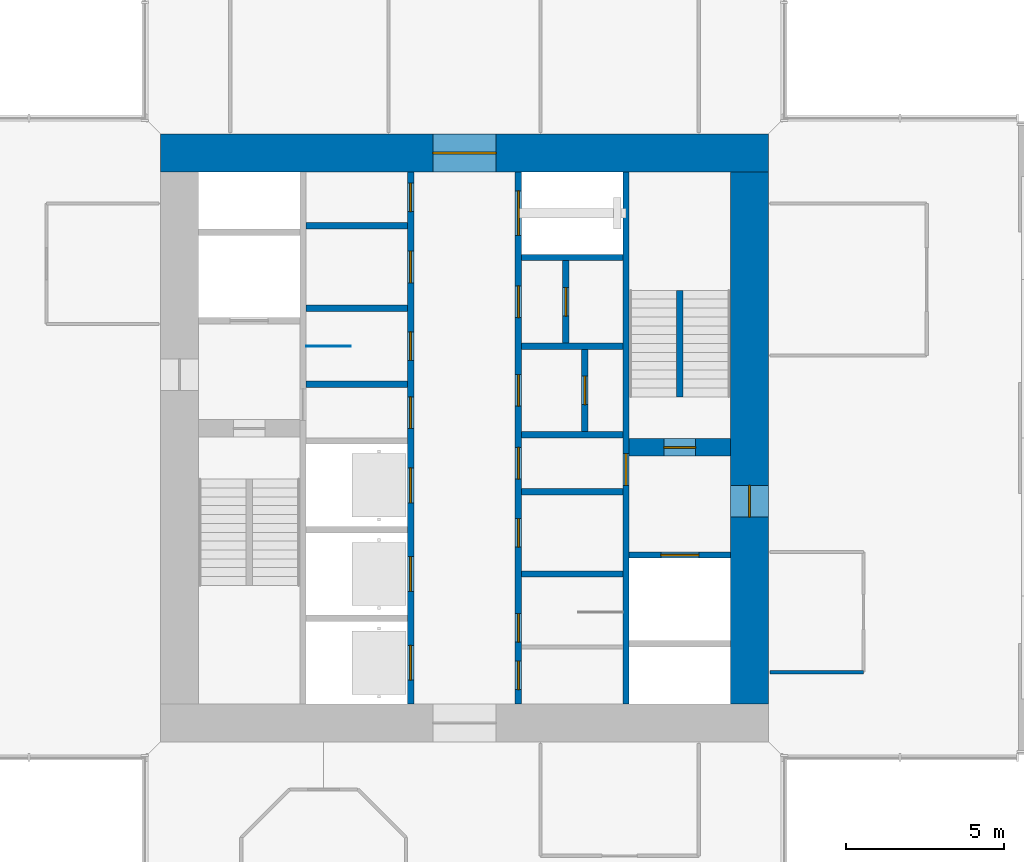
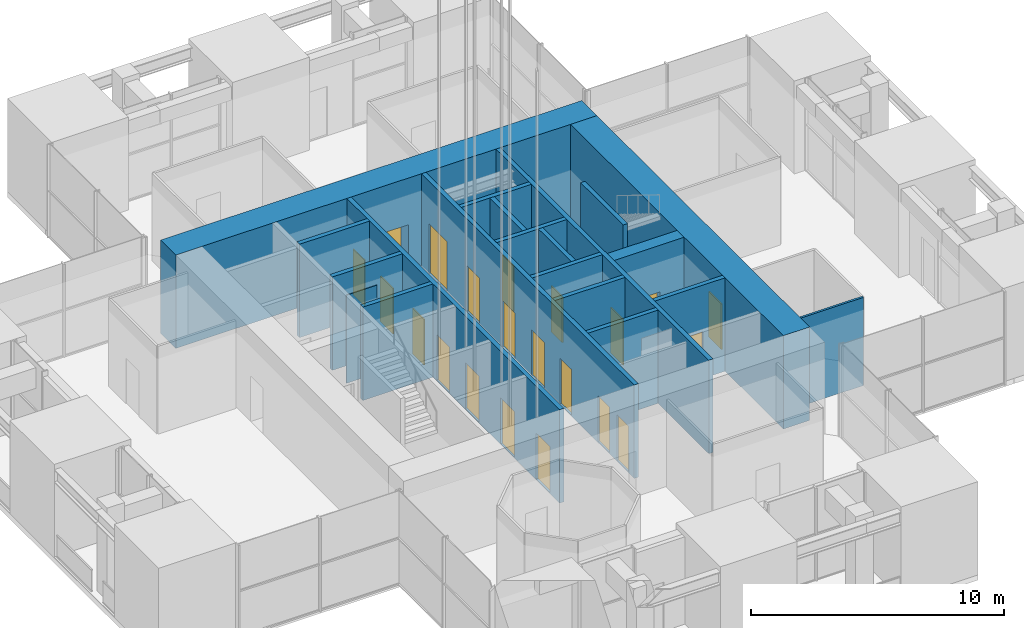
# One storey, part 6 of 17: 21 doors, 20 walls, 21 openings.
"""IFC4 building model written with IfcOpenShell, lengths in metres."""

from ifc_helpers import new_model, si_unit, direction, frame, frame_2d, origin, place, context, subcontext, project, spatial, rectangle, extrude, material, layer, layer_set, type_object, element, fill, save


model = new_model("IFC4")

# Units and contexts
model_context = context("Model", 3, precision=1e-05, world=origin(), true_north=direction((0.0, 1.0)))
body_context = subcontext(model_context, "Body", "Model", "MODEL_VIEW")
ifc_project = project(units=[si_unit("LENGTHUNIT", "METRE"), si_unit("AREAUNIT", "SQUARE_METRE"), si_unit("VOLUMEUNIT", "CUBIC_METRE"), si_unit("PLANEANGLEUNIT", "RADIAN"), si_unit("MASSUNIT", "GRAM", prefix="KILO")], contexts=[model_context])

# Site, building, storey
site_placement = place(None, origin())
site = spatial("IfcSite", under=ifc_project, at=site_placement, CompositionType="ELEMENT")
building_placement = place(site_placement, origin())
building = spatial("IfcBuilding", under=site, at=building_placement, Name="Svetlomir Tower", CompositionType="ELEMENT")
storey_placement = place(building_placement, frame((0.0, 0.0, 239.5)))
storey = spatial("IfcBuildingStorey", under=building, at=storey_placement, Name="L57", CompositionType="ELEMENT", Elevation=239.5)

# Wall, openings, doors
ifc_material_1 = material(Name="Concrete C60/75", Category="concrete")
ifc_layer_1 = layer(ifc_material_1, 0.199951171875)
ifc_layer_set_1 = layer_set([ifc_layer_1], Name="Concrete C60/75")
wall_type_1 = type_object("IfcWallType", Name="CORE INNER WALL 200", PredefinedType="SHEAR", material=ifc_layer_set_1)
wall_1_placement = place(storey_placement, frame((19.300048828125, 12.60009765625, -0.050048828125), z_axis=(0.0, 0.0, 1.0), x_axis=(0.0, 1.0, 0.0)))
wall_1 = element("IfcWall", 1, at=wall_1_placement, inside=storey, type_object=wall_type_1, Name="Core inner wall 19.3 L57", PredefinedType="SHEAR", context=body_context, shape_type="SweptSolid", body=[
    extrude(rectangle(XDim=16.7998046875, YDim=0.199951171875, at=frame_2d((8.39990234375, 0.0))), origin(), (0.0, 0.0, 1.0), 4.5),
])
opening_1_placement = place(wall_1_placement, frame((8.699951171875, 0.0, 0.050048828125)))
opening_1 = element("IfcOpeningElement", 2, at=opening_1_placement, cuts=wall_1, Name="Opening DC", PredefinedType="OPENING", context=body_context, shape_type="SweptSolid", body=[
    extrude(rectangle(XDim=1.0, YDim=2.199951171875, at=frame_2d((0.5, 1.10009765625))), frame((0.0, 0.10986328125, 0.0), z_axis=(0.0, -1.0, 0.0), x_axis=(1.0, 0.0, 0.0)), (0.0, 0.0, 1.0), 0.219970703125),
])
opening_2_placement = place(wall_1_placement, frame((10.85009765625, 0.0, 0.050048828125)))
opening_2 = element("IfcOpeningElement", 3, at=opening_2_placement, cuts=wall_1, Name="Opening DW", PredefinedType="OPENING", context=body_context, shape_type="SweptSolid", body=[
    extrude(rectangle(XDim=0.89990234375, YDim=2.199951171875, at=frame_2d((0.449951171875, 1.10009765625))), frame((0.0, 0.10986328125, 0.0), z_axis=(0.0, -1.0, 0.0), x_axis=(1.0, 0.0, 0.0)), (0.0, 0.0, 1.0), 0.219970703125),
])
opening_3_placement = place(wall_1_placement, frame((13.300048828125, 0.0, 0.050048828125)))
opening_3 = element("IfcOpeningElement", 4, at=opening_3_placement, cuts=wall_1, Name="Opening DC", PredefinedType="OPENING", context=body_context, shape_type="SweptSolid", body=[
    extrude(rectangle(XDim=1.0, YDim=2.199951171875, at=frame_2d((0.5, 1.10009765625))), frame((0.0, 0.10986328125, 0.0), z_axis=(0.0, -1.0, 0.0), x_axis=(1.0, 0.0, 0.0)), (0.0, 0.0, 1.0), 0.219970703125),
])
opening_4_placement = place(wall_1_placement, frame((15.550048828125, 0.0, 0.050048828125)))
opening_4 = element("IfcOpeningElement", 5, at=opening_4_placement, cuts=wall_1, Name="Opening DW", PredefinedType="OPENING", context=body_context, shape_type="SweptSolid", body=[
    extrude(rectangle(XDim=0.89990234375, YDim=2.199951171875, at=frame_2d((0.449951171875, 1.10009765625))), frame((0.0, 0.10986328125, 0.0), z_axis=(0.0, -1.0, 0.0), x_axis=(1.0, 0.0, 0.0)), (0.0, 0.0, 1.0), 0.219970703125),
])
opening_5_placement = place(wall_1_placement, frame((0.75, 0.0, 0.050048828125)))
opening_5 = element("IfcOpeningElement", 6, at=opening_5_placement, cuts=wall_1, Name="Opening LD", PredefinedType="OPENING", context=body_context, shape_type="SweptSolid", body=[
    extrude(rectangle(XDim=1.10009765625, YDim=2.199951171875, at=frame_2d((0.550048828125, 1.10009765625))), frame((0.0, 0.10986328125, 0.0), z_axis=(0.0, -1.0, 0.0), x_axis=(1.0, 0.0, 0.0)), (0.0, 0.0, 1.0), 0.219970703125),
])
opening_6_placement = place(wall_1_placement, frame((3.550048828125, 0.0, 0.050048828125)))
opening_6 = element("IfcOpeningElement", 7, at=opening_6_placement, cuts=wall_1, Name="Opening LD", PredefinedType="OPENING", context=body_context, shape_type="SweptSolid", body=[
    extrude(rectangle(XDim=1.10009765625, YDim=2.199951171875, at=frame_2d((0.550048828125, 1.10009765625))), frame((0.0, 0.10986328125, 0.0), z_axis=(0.0, -1.0, 0.0), x_axis=(1.0, 0.0, 0.0)), (0.0, 0.0, 1.0), 0.219970703125),
])
opening_7_placement = place(wall_1_placement, frame((6.35009765625, 0.0, 0.050048828125)))
opening_7 = element("IfcOpeningElement", 8, at=opening_7_placement, cuts=wall_1, Name="Opening LD", PredefinedType="OPENING", context=body_context, shape_type="SweptSolid", body=[
    extrude(rectangle(XDim=1.10009765625, YDim=2.199951171875, at=frame_2d((0.550048828125, 1.10009765625))), frame((0.0, 0.10986328125, 0.0), z_axis=(0.0, -1.0, 0.0), x_axis=(1.0, 0.0, 0.0)), (0.0, 0.0, 1.0), 0.219970703125),
])
ifc_material_2 = material(Name="Timber fire door", Category="wood")
door_type_1 = type_object("IfcDoorType", Name="DOOR DC 1000x2200", OperationType="SINGLE_SWING_LEFT", PredefinedType="DOOR", material=ifc_material_2)
door_1_placement = place(opening_1_placement, origin())
door_1 = element("IfcDoor", 9, at=door_1_placement, inside=storey, type_object=door_type_1, Name="Core corridor west lobby door L57", OperationType="SINGLE_SWING_RIGHT", OverallHeight=2.199951171875, OverallWidth=1.0, PredefinedType="DOOR", context=body_context, shape_type="SweptSolid", body=[
    extrude(rectangle(XDim=1.0, YDim=2.199951171875, at=frame_2d((0.5, 1.10009765625))), frame((0.0, 0.02490234375, 0.0), z_axis=(0.0, -1.0, 0.0), x_axis=(1.0, 0.0, 0.0)), (0.0, 0.0, 1.0), 0.050048828125),
])
fill(opening_1, door_1)
door_2_placement = place(opening_3_placement, origin())
door_2 = element("IfcDoor", 10, at=door_2_placement, inside=storey, type_object=door_type_1, Name="Accessible WC door L57", OperationType="SINGLE_SWING_LEFT", OverallHeight=2.199951171875, OverallWidth=1.0, PredefinedType="DOOR", context=body_context, shape_type="SweptSolid", body=[
    extrude(rectangle(XDim=1.0, YDim=2.199951171875, at=frame_2d((0.5, 1.10009765625))), frame((0.0, 0.02490234375, 0.0), z_axis=(0.0, -1.0, 0.0), x_axis=(1.0, 0.0, 0.0)), (0.0, 0.0, 1.0), 0.050048828125),
])
fill(opening_3, door_2)
ifc_material_3 = material(Name="Timber fire door", Category="wood")
door_type_2 = type_object("IfcDoorType", Name="DOOR DW 900x2200", OperationType="SINGLE_SWING_LEFT", PredefinedType="DOOR", material=ifc_material_3)
door_3_placement = place(opening_2_placement, origin())
door_3 = element("IfcDoor", 11, at=door_3_placement, inside=storey, type_object=door_type_2, Name="Female WC door L57", OperationType="SINGLE_SWING_RIGHT", OverallHeight=2.199951171875, OverallWidth=0.89990234375, PredefinedType="DOOR", context=body_context, shape_type="SweptSolid", body=[
    extrude(rectangle(XDim=0.89990234375, YDim=2.199951171875, at=frame_2d((0.449951171875, 1.10009765625))), frame((0.0, 0.02490234375, 0.0), z_axis=(0.0, -1.0, 0.0), x_axis=(1.0, 0.0, 0.0)), (0.0, 0.0, 1.0), 0.050048828125),
])
fill(opening_2, door_3)
door_4_placement = place(opening_4_placement, origin())
door_4 = element("IfcDoor", 12, at=door_4_placement, inside=storey, type_object=door_type_2, Name="Tea point door L57", OperationType="SINGLE_SWING_RIGHT", OverallHeight=2.199951171875, OverallWidth=0.89990234375, PredefinedType="DOOR", context=body_context, shape_type="SweptSolid", body=[
    extrude(rectangle(XDim=0.89990234375, YDim=2.199951171875, at=frame_2d((0.449951171875, 1.10009765625))), frame((0.0, 0.02490234375, 0.0), z_axis=(0.0, -1.0, 0.0), x_axis=(1.0, 0.0, 0.0)), (0.0, 0.0, 1.0), 0.050048828125),
])
fill(opening_4, door_4)
ifc_material_4 = material(Name="Stainless steel landing door", Category="steel")
door_type_3 = type_object("IfcDoorType", Name="LIFT LANDING DOOR LD 1100x2200", OperationType="DOUBLE_DOOR_SLIDING", PredefinedType="DOOR", material=ifc_material_4)
door_5_placement = place(opening_5_placement, origin())
door_5 = element("IfcDoor", 13, at=door_5_placement, inside=storey, type_object=door_type_3, Name="Landing door lift LD1 L57", OperationType="DOUBLE_DOOR_SLIDING", OverallHeight=2.199951171875, OverallWidth=1.10009765625, PredefinedType="DOOR", context=body_context, shape_type="SweptSolid", body=[
    extrude(rectangle(XDim=1.10009765625, YDim=2.199951171875, at=frame_2d((0.550048828125, 1.10009765625))), frame((0.0, 0.02490234375, 0.0), z_axis=(0.0, -1.0, 0.0), x_axis=(1.0, 0.0, 0.0)), (0.0, 0.0, 1.0), 0.050048828125),
])
fill(opening_5, door_5)
door_6_placement = place(opening_6_placement, origin())
door_6 = element("IfcDoor", 14, at=door_6_placement, inside=storey, type_object=door_type_3, Name="Landing door lift LD2 L57", OperationType="DOUBLE_DOOR_SLIDING", OverallHeight=2.199951171875, OverallWidth=1.10009765625, PredefinedType="DOOR", context=body_context, shape_type="SweptSolid", body=[
    extrude(rectangle(XDim=1.10009765625, YDim=2.199951171875, at=frame_2d((0.550048828125, 1.10009765625))), frame((0.0, 0.02490234375, 0.0), z_axis=(0.0, -1.0, 0.0), x_axis=(1.0, 0.0, 0.0)), (0.0, 0.0, 1.0), 0.050048828125),
])
fill(opening_6, door_6)
door_7_placement = place(opening_7_placement, origin())
door_7 = element("IfcDoor", 15, at=door_7_placement, inside=storey, type_object=door_type_3, Name="Landing door lift LD3 L57", OperationType="DOUBLE_DOOR_SLIDING", OverallHeight=2.199951171875, OverallWidth=1.10009765625, PredefinedType="DOOR", context=body_context, shape_type="SweptSolid", body=[
    extrude(rectangle(XDim=1.10009765625, YDim=2.199951171875, at=frame_2d((0.550048828125, 1.10009765625))), frame((0.0, 0.02490234375, 0.0), z_axis=(0.0, -1.0, 0.0), x_axis=(1.0, 0.0, 0.0)), (0.0, 0.0, 1.0), 0.050048828125),
])
fill(opening_7, door_7)

wall_2_placement = place(storey_placement, frame((22.699951171875, 12.60009765625, -0.050048828125), z_axis=(0.0, 0.0, 1.0), x_axis=(0.0, 1.0, 0.0)))
wall_2 = element("IfcWall", 16, at=wall_2_placement, inside=storey, type_object=wall_type_1, Name="Core inner wall 22.7 L57", PredefinedType="SHEAR", context=body_context, shape_type="SweptSolid", body=[
    extrude(rectangle(XDim=16.7998046875, YDim=0.199951171875, at=frame_2d((8.39990234375, 0.0))), origin(), (0.0, 0.0, 1.0), 4.5),
])
opening_8_placement = place(wall_2_placement, frame((0.449951171875, 0.0, 0.050048828125)))
opening_8 = element("IfcOpeningElement", 17, at=opening_8_placement, cuts=wall_2, Name="Opening DW", PredefinedType="OPENING", context=body_context, shape_type="SweptSolid", body=[
    extrude(rectangle(XDim=0.89990234375, YDim=2.199951171875, at=frame_2d((0.449951171875, 1.10009765625))), frame((0.0, 0.10986328125, 0.0), z_axis=(0.0, -1.0, 0.0), x_axis=(1.0, 0.0, 0.0)), (0.0, 0.0, 1.0), 0.219970703125),
])
opening_9_placement = place(wall_2_placement, frame((7.10009765625, 0.0, 0.050048828125)))
opening_9 = element("IfcOpeningElement", 18, at=opening_9_placement, cuts=wall_2, Name="Opening DC", PredefinedType="OPENING", context=body_context, shape_type="SweptSolid", body=[
    extrude(rectangle(XDim=1.0, YDim=2.199951171875, at=frame_2d((0.5, 1.10009765625))), frame((0.0, 0.10986328125, 0.0), z_axis=(0.0, -1.0, 0.0), x_axis=(1.0, 0.0, 0.0)), (0.0, 0.0, 1.0), 0.219970703125),
])
opening_10_placement = place(wall_2_placement, frame((1.949951171875, 0.0, 0.050048828125)))
opening_10 = element("IfcOpeningElement", 19, at=opening_10_placement, cuts=wall_2, Name="Opening DW", PredefinedType="OPENING", context=body_context, shape_type="SweptSolid", body=[
    extrude(rectangle(XDim=0.89990234375, YDim=2.199951171875, at=frame_2d((0.449951171875, 1.10009765625))), frame((0.0, 0.10986328125, 0.0), z_axis=(0.0, -1.0, 0.0), x_axis=(1.0, 0.0, 0.0)), (0.0, 0.0, 1.0), 0.219970703125),
])
opening_11_placement = place(wall_2_placement, frame((4.949951171875, 0.0, 0.050048828125)))
opening_11 = element("IfcOpeningElement", 20, at=opening_11_placement, cuts=wall_2, Name="Opening DW", PredefinedType="OPENING", context=body_context, shape_type="SweptSolid", body=[
    extrude(rectangle(XDim=0.89990234375, YDim=2.199951171875, at=frame_2d((0.449951171875, 1.10009765625))), frame((0.0, 0.10986328125, 0.0), z_axis=(0.0, -1.0, 0.0), x_axis=(1.0, 0.0, 0.0)), (0.0, 0.0, 1.0), 0.219970703125),
])
opening_12_placement = place(wall_2_placement, frame((9.39990234375, 0.0, 0.050048828125)))
opening_12 = element("IfcOpeningElement", 21, at=opening_12_placement, cuts=wall_2, Name="Opening DC", PredefinedType="OPENING", context=body_context, shape_type="SweptSolid", body=[
    extrude(rectangle(XDim=1.0, YDim=2.199951171875, at=frame_2d((0.5, 1.10009765625))), frame((0.0, 0.10986328125, 0.0), z_axis=(0.0, -1.0, 0.0), x_axis=(1.0, 0.0, 0.0)), (0.0, 0.0, 1.0), 0.219970703125),
])
opening_13_placement = place(wall_2_placement, frame((12.199951171875, 0.0, 0.050048828125)))
opening_13 = element("IfcOpeningElement", 22, at=opening_13_placement, cuts=wall_2, Name="Opening DC", PredefinedType="OPENING", context=body_context, shape_type="SweptSolid", body=[
    extrude(rectangle(XDim=1.0, YDim=2.199951171875, at=frame_2d((0.5, 1.10009765625))), frame((0.0, 0.10986328125, 0.0), z_axis=(0.0, -1.0, 0.0), x_axis=(1.0, 0.0, 0.0)), (0.0, 0.0, 1.0), 0.219970703125),
])
opening_14_placement = place(wall_2_placement, frame((14.800048828125, 0.0, 0.050048828125)))
opening_14 = element("IfcOpeningElement", 23, at=opening_14_placement, cuts=wall_2, Name="Opening LD2", PredefinedType="OPENING", context=body_context, shape_type="SweptSolid", body=[
    extrude(rectangle(XDim=1.39990234375, YDim=2.39990234375, at=frame_2d((0.699951171875, 1.199951171875))), frame((0.0, 0.10986328125, 0.0), z_axis=(0.0, -1.0, 0.0), x_axis=(1.0, 0.0, 0.0)), (0.0, 0.0, 1.0), 0.219970703125),
])
door_8_placement = place(opening_9_placement, origin())
door_8 = element("IfcDoor", 24, at=door_8_placement, inside=storey, type_object=door_type_1, Name="Core corridor east lobby door L57", OperationType="SINGLE_SWING_LEFT", OverallHeight=2.199951171875, OverallWidth=1.0, PredefinedType="DOOR", context=body_context, shape_type="SweptSolid", body=[
    extrude(rectangle(XDim=1.0, YDim=2.199951171875, at=frame_2d((0.5, 1.10009765625))), frame((0.0, 0.02490234375, 0.0), z_axis=(0.0, -1.0, 0.0), x_axis=(1.0, 0.0, 0.0)), (0.0, 0.0, 1.0), 0.050048828125),
])
fill(opening_9, door_8)
door_9_placement = place(opening_12_placement, origin())
door_9 = element("IfcDoor", 25, at=door_9_placement, inside=storey, type_object=door_type_1, Name="Converted shaft BANK-E1 room door L57", OperationType="SINGLE_SWING_LEFT", OverallHeight=2.199951171875, OverallWidth=1.0, PredefinedType="DOOR", context=body_context, shape_type="SweptSolid", body=[
    extrude(rectangle(XDim=1.0, YDim=2.199951171875, at=frame_2d((0.5, 1.10009765625))), frame((0.0, 0.02490234375, 0.0), z_axis=(0.0, -1.0, 0.0), x_axis=(1.0, 0.0, 0.0)), (0.0, 0.0, 1.0), 0.050048828125),
])
fill(opening_12, door_9)
door_10_placement = place(opening_13_placement, origin())
door_10 = element("IfcDoor", 26, at=door_10_placement, inside=storey, type_object=door_type_1, Name="Converted shaft BANK-E2 room door L57", OperationType="SINGLE_SWING_LEFT", OverallHeight=2.199951171875, OverallWidth=1.0, PredefinedType="DOOR", context=body_context, shape_type="SweptSolid", body=[
    extrude(rectangle(XDim=1.0, YDim=2.199951171875, at=frame_2d((0.5, 1.10009765625))), frame((0.0, 0.02490234375, 0.0), z_axis=(0.0, -1.0, 0.0), x_axis=(1.0, 0.0, 0.0)), (0.0, 0.0, 1.0), 0.050048828125),
])
fill(opening_13, door_10)
door_11_placement = place(opening_8_placement, origin())
door_11 = element("IfcDoor", 27, at=door_11_placement, inside=storey, type_object=door_type_2, Name="Floor store door L57", OperationType="SINGLE_SWING_LEFT", OverallHeight=2.199951171875, OverallWidth=0.89990234375, PredefinedType="DOOR", context=body_context, shape_type="SweptSolid", body=[
    extrude(rectangle(XDim=0.89990234375, YDim=2.199951171875, at=frame_2d((0.449951171875, 1.10009765625))), frame((0.0, 0.02490234375, 0.0), z_axis=(0.0, -1.0, 0.0), x_axis=(1.0, 0.0, 0.0)), (0.0, 0.0, 1.0), 0.050048828125),
])
fill(opening_8, door_11)
door_12_placement = place(opening_10_placement, origin())
door_12 = element("IfcDoor", 28, at=door_12_placement, inside=storey, type_object=door_type_2, Name="Male WC door L57", OperationType="SINGLE_SWING_LEFT", OverallHeight=2.199951171875, OverallWidth=0.89990234375, PredefinedType="DOOR", context=body_context, shape_type="SweptSolid", body=[
    extrude(rectangle(XDim=0.89990234375, YDim=2.199951171875, at=frame_2d((0.449951171875, 1.10009765625))), frame((0.0, 0.02490234375, 0.0), z_axis=(0.0, -1.0, 0.0), x_axis=(1.0, 0.0, 0.0)), (0.0, 0.0, 1.0), 0.050048828125),
])
fill(opening_10, door_12)
door_13_placement = place(opening_11_placement, origin())
door_13 = element("IfcDoor", 29, at=door_13_placement, inside=storey, type_object=door_type_2, Name="Comms room door L57", OperationType="SINGLE_SWING_RIGHT", OverallHeight=2.199951171875, OverallWidth=0.89990234375, PredefinedType="DOOR", context=body_context, shape_type="SweptSolid", body=[
    extrude(rectangle(XDim=0.89990234375, YDim=2.199951171875, at=frame_2d((0.449951171875, 1.10009765625))), frame((0.0, 0.02490234375, 0.0), z_axis=(0.0, -1.0, 0.0), x_axis=(1.0, 0.0, 0.0)), (0.0, 0.0, 1.0), 0.050048828125),
])
fill(opening_11, door_13)
ifc_material_5 = material(Name="Stainless steel landing door", Category="steel")
door_type_4 = type_object("IfcDoorType", Name="LIFT LANDING DOOR LD2 1400x2400", OperationType="DOUBLE_DOOR_SLIDING", PredefinedType="DOOR", material=ifc_material_5)
door_14_placement = place(opening_14_placement, origin())
door_14 = element("IfcDoor", 30, at=door_14_placement, inside=storey, type_object=door_type_4, Name="Landing door lift SH3 L57", OperationType="DOUBLE_DOOR_SLIDING", OverallHeight=2.39990234375, OverallWidth=1.39990234375, PredefinedType="DOOR", context=body_context, shape_type="SweptSolid", body=[
    extrude(rectangle(XDim=1.39990234375, YDim=2.39990234375, at=frame_2d((0.699951171875, 1.199951171875))), frame((0.0, 0.02490234375, 0.0), z_axis=(0.0, -1.0, 0.0), x_axis=(1.0, 0.0, 0.0)), (0.0, 0.0, 1.0), 0.050048828125),
])
fill(opening_14, door_14)

# Wall, opening, door
wall_3_placement = place(storey_placement, frame((26.10009765625, 12.60009765625, -0.050048828125), z_axis=(0.0, 0.0, 1.0), x_axis=(0.0, 1.0, 0.0)))
wall_3 = element("IfcWall", 31, at=wall_3_placement, inside=storey, type_object=wall_type_1, Name="Core inner wall 26.1 L57", PredefinedType="SHEAR", context=body_context, shape_type="SweptSolid", body=[
    extrude(rectangle(XDim=16.7998046875, YDim=0.199951171875, at=frame_2d((8.39990234375, 0.0))), origin(), (0.0, 0.0, 1.0), 4.5),
])
opening_15_placement = place(wall_3_placement, frame((6.89990234375, 0.0, 0.050048828125)))
opening_15 = element("IfcOpeningElement", 32, at=opening_15_placement, cuts=wall_3, Name="Opening DF", PredefinedType="OPENING", context=body_context, shape_type="SweptSolid", body=[
    extrude(rectangle(XDim=1.0, YDim=2.199951171875, at=frame_2d((0.5, 1.10009765625))), frame((0.0, 0.10986328125, 0.0), z_axis=(0.0, -1.0, 0.0), x_axis=(1.0, 0.0, 0.0)), (0.0, 0.0, 1.0), 0.219970703125),
])
ifc_material_6 = material(Name="Steel fire door", Category="steel")
door_type_5 = type_object("IfcDoorType", Name="DOOR DF 1000x2200", OperationType="SINGLE_SWING_LEFT", PredefinedType="DOOR", material=ifc_material_6)
door_15_placement = place(opening_15_placement, origin())
door_15 = element("IfcDoor", 33, at=door_15_placement, inside=storey, type_object=door_type_5, Name="Core corridor east door L57", OperationType="SINGLE_SWING_LEFT", OverallHeight=2.199951171875, OverallWidth=1.0, PredefinedType="DOOR", context=body_context, shape_type="SweptSolid", body=[
    extrude(rectangle(XDim=1.0, YDim=2.199951171875, at=frame_2d((0.5, 1.10009765625))), frame((0.0, 0.02490234375, 0.0), z_axis=(0.0, -1.0, 0.0), x_axis=(1.0, 0.0, 0.0)), (0.0, 0.0, 1.0), 0.050048828125),
])
fill(opening_15, door_15)

# Walls
for number, where, z_axis, x_axis, name in (
    (34, (16.0, 22.699951171875, -0.050048828125), (0.0, 0.0, 1.0), (1.0, 0.0, 0.0), "Core inner wall 16-19.2/22.7 L57"),
    (35, (16.0, 25.10009765625, -0.050048828125), (0.0, 0.0, 1.0), (1.0, 0.0, 0.0), "Core inner wall 16-19.2/25.1 L57"),
    (36, (16.0, 27.699951171875, -0.050048828125), (0.0, 0.0, 1.0), (1.0, 0.0, 0.0), "Core inner wall 16-19.2/27.7 L57"),
    (37, (22.800048828125, 16.699951171875, -0.050048828125), (0.0, 0.0, 1.0), (1.0, 0.0, 0.0), "Core inner wall 22.8-26/16.7 L57"),
    (38, (22.800048828125, 19.300048828125, -0.050048828125), (0.0, 0.0, 1.0), (1.0, 0.0, 0.0), "Core inner wall 22.8-26/19.3 L57"),
    (39, (22.800048828125, 21.10009765625, -0.050048828125), (0.0, 0.0, 1.0), (1.0, 0.0, 0.0), "Core inner wall 22.8-26/21.1 L57"),
    (40, (22.800048828125, 23.89990234375, -0.050048828125), (0.0, 0.0, 1.0), (1.0, 0.0, 0.0), "Core inner wall 22.8-26/23.9 L57"),
    (41, (22.800048828125, 26.699951171875, -0.050048828125), (0.0, 0.0, 1.0), (1.0, 0.0, 0.0), "Core inner wall 22.8-26/26.7 L57"),
):
    element("IfcWall", number, at=place(storey_placement, frame(where, z_axis=z_axis, x_axis=x_axis)), inside=storey, type_object=wall_type_1, Name=name, PredefinedType="SHEAR", context=body_context, shape_type="SweptSolid", body=[
        extrude(rectangle(XDim=3.199951171875, YDim=0.199951171875, at=frame_2d((1.60009765625, 0.0))), origin(), (0.0, 0.0, 1.0), 4.5),
    ])

# Wall, opening, door
wall_4_placement = place(storey_placement, frame((26.199951171875, 17.300048828125, -0.050048828125), z_axis=(0.0, 0.0, 1.0), x_axis=(1.0, 0.0, 0.0)))
wall_4 = element("IfcWall", 42, at=wall_4_placement, inside=storey, type_object=wall_type_1, Name="Core inner wall 26.2-29.4/17.3 L57", PredefinedType="SHEAR", context=body_context, shape_type="SweptSolid", body=[
    extrude(rectangle(XDim=3.199951171875, YDim=0.199951171875, at=frame_2d((1.60009765625, 0.0))), origin(), (0.0, 0.0, 1.0), 4.5),
])
opening_16_placement = place(wall_4_placement, frame((1.0, 0.0, 0.050048828125)))
opening_16 = element("IfcOpeningElement", 43, at=opening_16_placement, cuts=wall_4, Name="Opening LD3", PredefinedType="OPENING", context=body_context, shape_type="SweptSolid", body=[
    extrude(rectangle(XDim=1.199951171875, YDim=2.199951171875, at=frame_2d((0.60009765625, 1.10009765625))), frame((0.0, 0.10986328125, 0.0), z_axis=(0.0, -1.0, 0.0), x_axis=(1.0, 0.0, 0.0)), (0.0, 0.0, 1.0), 0.219970703125),
])
ifc_material_7 = material(Name="Stainless steel fire-rated landing door", Category="steel")
door_type_6 = type_object("IfcDoorType", Name="FIREFIGHTING LIFT LANDING DOOR LD3 1200x2200", OperationType="DOUBLE_DOOR_SLIDING", PredefinedType="DOOR", material=ifc_material_7)
door_16_placement = place(opening_16_placement, origin())
door_16 = element("IfcDoor", 44, at=door_16_placement, inside=storey, type_object=door_type_6, Name="Landing door lift FL2 L57", OperationType="DOUBLE_DOOR_SLIDING", OverallHeight=2.199951171875, OverallWidth=1.199951171875, PredefinedType="DOOR", context=body_context, shape_type="SweptSolid", body=[
    extrude(rectangle(XDim=1.199951171875, YDim=2.199951171875, at=frame_2d((0.60009765625, 1.10009765625))), frame((0.0, 0.02490234375, 0.0), z_axis=(0.0, -1.0, 0.0), x_axis=(1.0, 0.0, 0.0)), (0.0, 0.0, 1.0), 0.050048828125),
])
fill(opening_16, door_16)

wall_5_placement = place(storey_placement, frame((24.800048828125, 21.199951171875, -0.050048828125), z_axis=(0.0, 0.0, 1.0), x_axis=(0.0, 1.0, 0.0)))
wall_5 = element("IfcWall", 45, at=wall_5_placement, inside=storey, type_object=wall_type_1, Name="Core inner wall 24.8/21.2-23.8 L57", PredefinedType="SHEAR", context=body_context, shape_type="SweptSolid", body=[
    extrude(rectangle(XDim=2.60009765625, YDim=0.199951171875, at=frame_2d((1.300048828125, 0.0))), origin(), (0.0, 0.0, 1.0), 4.5),
])
opening_17_placement = place(wall_5_placement, frame((0.85009765625, 0.0, 0.050048828125)))
opening_17 = element("IfcOpeningElement", 46, at=opening_17_placement, cuts=wall_5, Name="Opening DW", PredefinedType="OPENING", context=body_context, shape_type="SweptSolid", body=[
    extrude(rectangle(XDim=0.89990234375, YDim=2.199951171875, at=frame_2d((0.449951171875, 1.10009765625))), frame((0.0, 0.10986328125, 0.0), z_axis=(0.0, -1.0, 0.0), x_axis=(1.0, 0.0, 0.0)), (0.0, 0.0, 1.0), 0.219970703125),
])
door_17_placement = place(opening_17_placement, origin())
door_17 = element("IfcDoor", 47, at=door_17_placement, inside=storey, type_object=door_type_2, Name="Converted shaft BANK-E1 back room door L57", OperationType="SINGLE_SWING_RIGHT", OverallHeight=2.199951171875, OverallWidth=0.89990234375, PredefinedType="DOOR", context=body_context, shape_type="SweptSolid", body=[
    extrude(rectangle(XDim=0.89990234375, YDim=2.199951171875, at=frame_2d((0.449951171875, 1.10009765625))), frame((0.0, 0.02490234375, 0.0), z_axis=(0.0, -1.0, 0.0), x_axis=(1.0, 0.0, 0.0)), (0.0, 0.0, 1.0), 0.050048828125),
])
fill(opening_17, door_17)

wall_6_placement = place(storey_placement, frame((24.199951171875, 24.0, -0.050048828125), z_axis=(0.0, 0.0, 1.0), x_axis=(0.0, 1.0, 0.0)))
wall_6 = element("IfcWall", 48, at=wall_6_placement, inside=storey, type_object=wall_type_1, Name="Core inner wall 24.2/24-26.6 L57", PredefinedType="SHEAR", context=body_context, shape_type="SweptSolid", body=[
    extrude(rectangle(XDim=2.60009765625, YDim=0.199951171875, at=frame_2d((1.300048828125, 0.0))), origin(), (0.0, 0.0, 1.0), 4.5),
])
opening_18_placement = place(wall_6_placement, frame((0.85009765625, 0.0, 0.050048828125)))
opening_18 = element("IfcOpeningElement", 49, at=opening_18_placement, cuts=wall_6, Name="Opening DW", PredefinedType="OPENING", context=body_context, shape_type="SweptSolid", body=[
    extrude(rectangle(XDim=0.89990234375, YDim=2.199951171875, at=frame_2d((0.449951171875, 1.10009765625))), frame((0.0, 0.10986328125, 0.0), z_axis=(0.0, -1.0, 0.0), x_axis=(1.0, 0.0, 0.0)), (0.0, 0.0, 1.0), 0.219970703125),
])
door_18_placement = place(opening_18_placement, origin())
door_18 = element("IfcDoor", 50, at=door_18_placement, inside=storey, type_object=door_type_2, Name="Converted shaft BANK-E2 back room door L57", OperationType="SINGLE_SWING_RIGHT", OverallHeight=2.199951171875, OverallWidth=0.89990234375, PredefinedType="DOOR", context=body_context, shape_type="SweptSolid", body=[
    extrude(rectangle(XDim=0.89990234375, YDim=2.199951171875, at=frame_2d((0.449951171875, 1.10009765625))), frame((0.0, 0.02490234375, 0.0), z_axis=(0.0, -1.0, 0.0), x_axis=(1.0, 0.0, 0.0)), (0.0, 0.0, 1.0), 0.050048828125),
])
fill(opening_18, door_18)

ifc_material_8 = material(Name="Concrete C60/75", Category="concrete")
ifc_layer_2 = layer(ifc_material_8, 0.550048828125)
ifc_layer_set_2 = layer_set([ifc_layer_2], Name="Concrete C60/75")
wall_type_2 = type_object("IfcWallType", Name="CORE OUTRIGGER WALL 550", PredefinedType="SHEAR", material=ifc_layer_set_2)
wall_7_placement = place(storey_placement, frame((26.199951171875, 20.699951171875, -0.050048828125), z_axis=(0.0, 0.0, 1.0), x_axis=(1.0, 0.0, 0.0)))
wall_7 = element("IfcWall", 51, at=wall_7_placement, inside=storey, type_object=wall_type_2, Name="Core outrigger wall 26.2-29.4/20.7 L57", PredefinedType="SHEAR", context=body_context, shape_type="SweptSolid", body=[
    extrude(rectangle(XDim=3.199951171875, YDim=0.550048828125, at=frame_2d((1.60009765625, 0.0))), origin(), (0.0, 0.0, 1.0), 4.5),
])
opening_19_placement = place(wall_7_placement, frame((1.10009765625, 0.0, 0.050048828125)))
opening_19 = element("IfcOpeningElement", 52, at=opening_19_placement, cuts=wall_7, Name="Opening DF", PredefinedType="OPENING", context=body_context, shape_type="SweptSolid", body=[
    extrude(rectangle(XDim=1.0, YDim=2.199951171875, at=frame_2d((0.5, 1.10009765625))), frame((0.0, 0.28515625, 0.0), z_axis=(0.0, -1.0, 0.0), x_axis=(1.0, 0.0, 0.0)), (0.0, 0.0, 1.0), 0.570068359375),
])
door_19_placement = place(opening_19_placement, origin())
door_19 = element("IfcDoor", 53, at=door_19_placement, inside=storey, type_object=door_type_5, Name="Stair S2 door L57", OperationType="SINGLE_SWING_LEFT", OverallHeight=2.199951171875, OverallWidth=1.0, PredefinedType="DOOR", context=body_context, shape_type="SweptSolid", body=[
    extrude(rectangle(XDim=1.0, YDim=2.199951171875, at=frame_2d((0.5, 1.10009765625))), frame((0.0, 0.02490234375, 0.0), z_axis=(0.0, -1.0, 0.0), x_axis=(1.0, 0.0, 0.0)), (0.0, 0.0, 1.0), 0.050048828125),
])
fill(opening_19, door_19)

ifc_material_9 = material(Name="Concrete C60/75", Category="concrete")
ifc_layer_3 = layer(ifc_material_9, 1.199951171875)
ifc_layer_set_3 = layer_set([ifc_layer_3], Name="Concrete C60/75")
wall_type_3 = type_object("IfcWallType", Name="CORE WALL 1200", PredefinedType="SHEAR", material=ifc_layer_set_3)
wall_8_placement = place(storey_placement, frame((11.39990234375, 30.0, -0.050048828125), z_axis=(0.0, 0.0, 1.0), x_axis=(1.0, 0.0, 0.0)))
wall_8 = element("IfcWall", 54, at=wall_8_placement, inside=storey, type_object=wall_type_3, Name="Core wall north L57", PredefinedType="SHEAR", context=body_context, shape_type="SweptSolid", body=[
    extrude(rectangle(XDim=19.2001953125, YDim=1.199951171875, at=frame_2d((9.60009765625, 0.0))), origin(), (0.0, 0.0, 1.0), 4.5),
])
opening_20_placement = place(wall_8_placement, frame((8.60009765625, 0.0, 0.050048828125)))
opening_20 = element("IfcOpeningElement", 55, at=opening_20_placement, cuts=wall_8, Name="Opening DL", PredefinedType="OPENING", context=body_context, shape_type="SweptSolid", body=[
    extrude(rectangle(XDim=2.0, YDim=2.199951171875, at=frame_2d((1.0, 1.10009765625))), frame((0.0, 0.60986328125, 0.0), z_axis=(0.0, -1.0, 0.0), x_axis=(1.0, 0.0, 0.0)), (0.0, 0.0, 1.0), 1.219970703125),
])
ifc_material_10 = material(Name="Steel fire door", Category="steel")
door_type_7 = type_object("IfcDoorType", Name="DOOR DL 2000x2200", OperationType="DOUBLE_DOOR_SINGLE_SWING", PredefinedType="DOOR", material=ifc_material_10)
door_20_placement = place(opening_20_placement, origin())
door_20 = element("IfcDoor", 56, at=door_20_placement, inside=storey, type_object=door_type_7, Name="Lift lobby north door L57", OperationType="DOUBLE_DOOR_SINGLE_SWING", OverallHeight=2.199951171875, OverallWidth=2.0, PredefinedType="DOOR", context=body_context, shape_type="SweptSolid", body=[
    extrude(rectangle(XDim=2.0, YDim=2.199951171875, at=frame_2d((1.0, 1.10009765625))), frame((0.0, 0.02490234375, 0.0), z_axis=(0.0, -1.0, 0.0), x_axis=(1.0, 0.0, 0.0)), (0.0, 0.0, 1.0), 0.050048828125),
])
fill(opening_20, door_20)

wall_9_placement = place(storey_placement, frame((30.0, 12.60009765625, -0.050048828125), z_axis=(0.0, 0.0, 1.0), x_axis=(0.0, 1.0, 0.0)))
wall_9 = element("IfcWall", 57, at=wall_9_placement, inside=storey, type_object=wall_type_3, Name="Core wall east L57", PredefinedType="SHEAR", context=body_context, shape_type="SweptSolid", body=[
    extrude(rectangle(XDim=16.7998046875, YDim=1.199951171875, at=frame_2d((8.39990234375, 0.0))), origin(), (0.0, 0.0, 1.0), 4.5),
])
opening_21_placement = place(wall_9_placement, frame((5.89990234375, 0.0, 0.050048828125)))
opening_21 = element("IfcOpeningElement", 58, at=opening_21_placement, cuts=wall_9, Name="Opening DF", PredefinedType="OPENING", context=body_context, shape_type="SweptSolid", body=[
    extrude(rectangle(XDim=1.0, YDim=2.199951171875, at=frame_2d((0.5, 1.10009765625))), frame((0.0, 0.60986328125, 0.0), z_axis=(0.0, -1.0, 0.0), x_axis=(1.0, 0.0, 0.0)), (0.0, 0.0, 1.0), 1.219970703125),
])
door_21_placement = place(opening_21_placement, origin())
door_21 = element("IfcDoor", 59, at=door_21_placement, inside=storey, type_object=door_type_5, Name="Firefighting lobby east door L57", OperationType="SINGLE_SWING_RIGHT", OverallHeight=2.199951171875, OverallWidth=1.0, PredefinedType="DOOR", context=body_context, shape_type="SweptSolid", body=[
    extrude(rectangle(XDim=1.0, YDim=2.199951171875, at=frame_2d((0.5, 1.10009765625))), frame((0.0, 0.02490234375, 0.0), z_axis=(0.0, -1.0, 0.0), x_axis=(1.0, 0.0, 0.0)), (0.0, 0.0, 1.0), 0.050048828125),
])
fill(opening_21, door_21)

# Walls
ifc_material_11 = material(Name="Framed laminated glass partition", Category="glass")
ifc_layer_4 = layer(ifc_material_11, 0.10009765625)
ifc_layer_set_4 = layer_set([ifc_layer_4], Name="Framed laminated glass partition")
wall_type_4 = type_object("IfcWallType", Name="GLAZED PARTITION 100", PredefinedType="PARTITIONING", material=ifc_layer_set_4)
wall_10_placement = place(storey_placement, frame((30.64990234375, 13.60009765625, 0.0), z_axis=(0.0, 0.0, 1.0), x_axis=(1.0, 0.0, 0.0)))
element("IfcWall", 60, at=wall_10_placement, inside=storey, type_object=wall_type_4, Name="Partition L57", PredefinedType="PARTITIONING", context=body_context, shape_type="SweptSolid", body=[
    extrude(rectangle(XDim=2.9501953125, YDim=0.10009765625, at=frame_2d((1.47509765625, 0.0))), origin(), (0.0, 0.0, 1.0), 4.25),
])
ifc_material_12 = material(Name="Concrete C60/75", Category="concrete")
ifc_layer_5 = layer(ifc_material_12, 0.199951171875)
ifc_layer_set_5 = layer_set([ifc_layer_5], Name="Concrete C60/75")
wall_type_5 = type_object("IfcWallType", Name="STAIR SPINE WALL 200", PredefinedType="PARTITIONING", material=ifc_layer_set_5)
wall_11_placement = place(storey_placement, frame((27.800048828125, 22.300048828125, 0.0), z_axis=(0.0, 0.0, 1.0), x_axis=(0.0, 1.0, 0.0)))
element("IfcWall", 61, at=wall_11_placement, inside=storey, type_object=wall_type_5, Name="Stair S2 spine wall L57", PredefinedType="PARTITIONING", context=body_context, shape_type="SweptSolid", body=[
    extrude(rectangle(XDim=3.35986328125, YDim=0.199951171875, at=frame_2d((1.679931640625, 0.0))), origin(), (0.0, 0.0, 1.0), 4.5),
])
ifc_material_13 = material(Name="Compact laminate panel", Category="plastic")
ifc_layer_6 = layer(ifc_material_13, 0.030029296875)
ifc_layer_set_6 = layer_set([ifc_layer_6], Name="Compact laminate panel")
wall_type_6 = type_object("IfcWallType", Name="WC CUBICLE PARTITION 30", PredefinedType="PARTITIONING", material=ifc_layer_set_6)
wall_12_placement = place(storey_placement, frame((16.0, 23.89990234375, 0.0), z_axis=(0.0, 0.0, 1.0), x_axis=(1.0, 0.0, 0.0)))
element("IfcWall", 62, at=wall_12_placement, inside=storey, type_object=wall_type_6, Name="WC cubicle partition L57", PredefinedType="PARTITIONING", context=body_context, shape_type="SweptSolid", body=[
    extrude(rectangle(XDim=1.39990234375, YDim=0.030029296875, at=frame_2d((0.699951171875, 0.0))), origin(), (0.0, 0.0, 1.0), 4.25),
])

save(model, "model.ifc")
